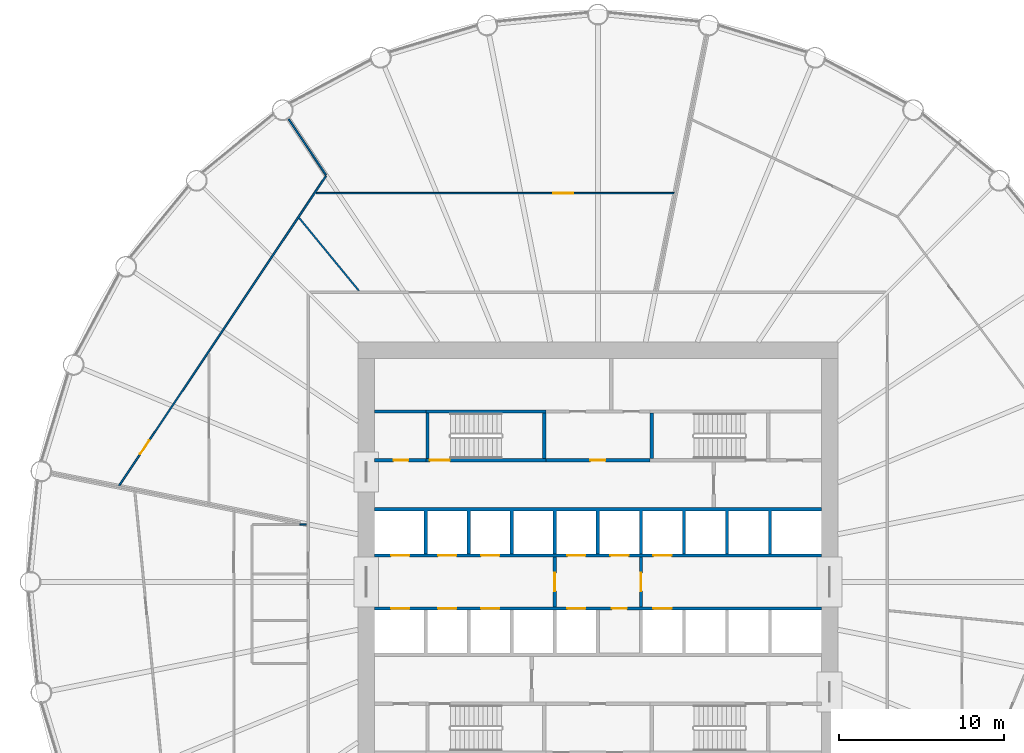
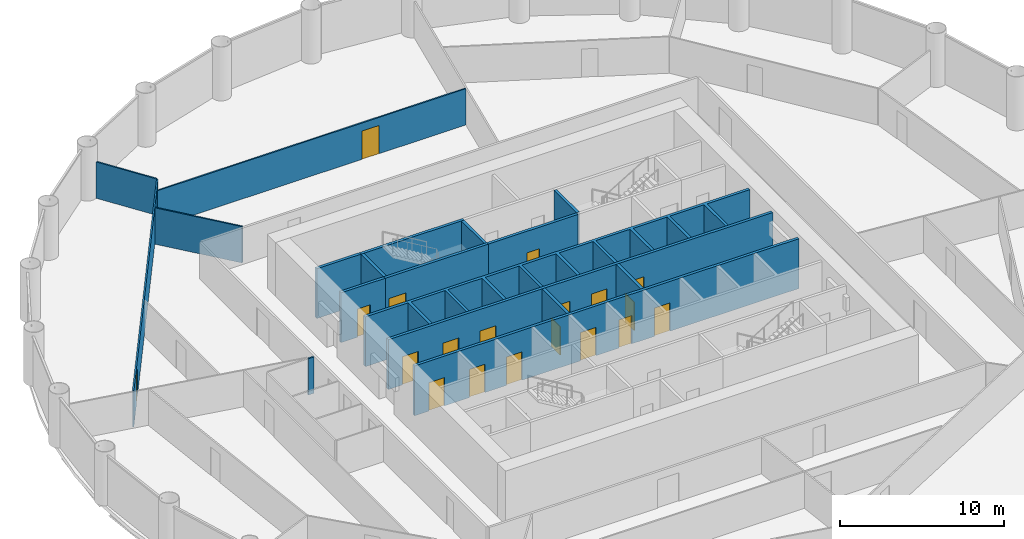
# One storey, part 6 of 9: 19 doors, 18 walls, 19 openings.
"""IFC4 building model written with IfcOpenShell, lengths in metres."""

import ifcopenshell
import ifcopenshell.guid

model = None  # the IFC model being written
_history = None  # IfcOwnerHistory: only IFC2X3 demands one
_inside = {}  # id of a spatial element -> (the spatial element, [elements in it])
_under = {}  # id of a project, library or spatial element -> (it, [spatial elements below it])
_declared = {}  # id of a project -> (the project, [libraries it declares])
_typed = {}  # id of a type object -> (the type object, [elements of that type])
_made_of = {}  # id of a material, layer set ... -> (it, [elements and type objects made of it])


def new_model(schema):
    """Start an empty IFC model of exactly this schema.

    Asked for "IFC4X3", IfcOpenShell would pick the latest addendum, in which some entities
    have other attributes; the version numbers below select the first issue.
    IFC2X3 requires an IfcOwnerHistory on every rooted entity: one is made here for all.
    """
    global model, _history
    if schema == "IFC4X3":
        model = ifcopenshell.file(schema_version=(4, 3, 0, 0))
    else:
        model = ifcopenshell.file(schema=schema)
    _inside.clear()
    _under.clear()
    _declared.clear()
    _typed.clear()
    _made_of.clear()
    _history = None
    if model.schema == "IFC2X3":
        org = make("IfcOrganization", Name="unknown")
        user = make(
            "IfcPersonAndOrganization",
            ThePerson=make("IfcPerson", FamilyName="unknown"),
            TheOrganization=org,
        )
        app = make(
            "IfcApplication",
            ApplicationDeveloper=org,
            Version="unknown",
            ApplicationFullName="unknown",
            ApplicationIdentifier="unknown",
        )
        _history = make(
            "IfcOwnerHistory",
            OwningUser=user,
            OwningApplication=app,
            ChangeAction="ADDED",
            CreationDate=0,
        )
    return model


def make(cls, **values):
    """One entity of the class cls with the attributes given. An attribute that is None is left unset."""
    return model.create_entity(
        cls, **{name: value for name, value in values.items() if value is not None}
    )


def rooted(cls, **values):
    """An entity with a GlobalId (a new one), such as an element, a storey or a relation."""
    return make(cls, GlobalId=ifcopenshell.guid.new(), OwnerHistory=_history, **values)


def si_unit(unit_type, name, prefix=None):
    """IfcSIUnit, for example si_unit("LENGTHUNIT", "METRE", prefix="MILLI")."""
    return make("IfcSIUnit", UnitType=unit_type, Prefix=prefix, Name=name)


def assignment(units):
    """IfcUnitAssignment: the units of a project."""
    return None if units is None else make("IfcUnitAssignment", Units=units)


def point(xyz):
    """IfcCartesianPoint."""
    return None if xyz is None else make("IfcCartesianPoint", Coordinates=xyz)


def direction(xyz):
    """IfcDirection."""
    return None if xyz is None else make("IfcDirection", DirectionRatios=xyz)


def frame(location, z_axis=None, x_axis=None):
    """IfcAxis2Placement3D, a coordinate frame: its origin and axes. An axis left out is left unset."""
    return make(
        "IfcAxis2Placement3D",
        Location=point(location),
        Axis=direction(z_axis),
        RefDirection=direction(x_axis),
    )


def frame_2d(location, x_axis=None):
    """IfcAxis2Placement2D, a coordinate frame in the plane: its origin and x axis."""
    return make(
        "IfcAxis2Placement2D", Location=point(location), RefDirection=direction(x_axis)
    )


def origin():
    """The frame at (0, 0, 0) with its axes left unset."""
    return frame((0.0, 0.0, 0.0))


def place(relative_to, where):
    """IfcLocalPlacement: puts the frame where relative to a parent placement (None: the world)."""
    return make(
        "IfcLocalPlacement", PlacementRelTo=relative_to, RelativePlacement=where
    )


def context(
    kind, dimensions, precision=None, world=None, true_north=None, identifier=None
):
    """IfcGeometricRepresentationContext, for example the 3D "Model" context."""
    return make(
        "IfcGeometricRepresentationContext",
        ContextIdentifier=identifier,
        ContextType=kind,
        CoordinateSpaceDimension=dimensions,
        Precision=precision,
        WorldCoordinateSystem=world,
        TrueNorth=true_north,
    )


def subcontext(parent, identifier, kind, view, scale=None):
    """IfcGeometricRepresentationSubContext, for example "Body" below "Model"."""
    return make(
        "IfcGeometricRepresentationSubContext",
        ContextIdentifier=identifier,
        ContextType=kind,
        ParentContext=parent,
        TargetScale=scale,
        TargetView=view,
    )


def project(units=None, contexts=None):
    """IfcProject with its units and contexts."""
    return rooted(
        "IfcProject",
        Name="project",
        RepresentationContexts=contexts,
        UnitsInContext=assignment(units),
    )


def spatial(cls, under=None, at=None, **own):
    """A site, building, storey or space (cls), placed at a placement, below another one or the project."""
    s = rooted(cls, ObjectPlacement=at, **own)
    if under is not None:
        _under.setdefault(under.id(), (under, []))[1].append(s)
    return s


def polyline(points):
    """IfcPolyline through the points."""
    return make("IfcPolyline", Points=[point(p) for p in points])


def profile(cls, at=None, kind="AREA", **sizes):
    """A parametric profile (cls). Its sizes go by their IFC names, for example OverallWidth=200.0."""
    return make(cls, ProfileType=kind, Position=at, **sizes)


def rectangle(**sizes):
    """IfcRectangleProfileDef."""
    return profile("IfcRectangleProfileDef", **sizes)


def outline(outer, holes=None, kind="AREA"):
    """IfcArbitraryClosedProfileDef: a profile drawn as a closed curve; with holes, ...WithVoids."""
    if holes is None:
        return make("IfcArbitraryClosedProfileDef", ProfileType=kind, OuterCurve=outer)
    return make(
        "IfcArbitraryProfileDefWithVoids",
        ProfileType=kind,
        OuterCurve=outer,
        InnerCurves=holes,
    )


def extrude(swept, where, along, depth):
    """IfcExtrudedAreaSolid: the profile swept, set in the frame where, extruded along a direction by depth."""
    return make(
        "IfcExtrudedAreaSolid",
        SweptArea=swept,
        Position=where,
        ExtrudedDirection=direction(along),
        Depth=depth,
    )


def shape(context_of_items, identifier, shape_type, items):
    """IfcShapeRepresentation: the items that make up one representation, for example the "Body"."""
    return make(
        "IfcShapeRepresentation",
        ContextOfItems=context_of_items,
        RepresentationIdentifier=identifier,
        RepresentationType=shape_type,
        Items=items,
    )


def material(Name=None, Category=None):
    """IfcMaterial."""
    return make("IfcMaterial", Name=Name, Category=Category)


def layer(
    of_material, thickness, ventilated=None, Name=None, Category=None, Priority=None
):
    """IfcMaterialLayer: one layer of a wall or slab, of a material (None: an air gap)."""
    return make(
        "IfcMaterialLayer",
        Material=of_material,
        LayerThickness=thickness,
        IsVentilated=ventilated,
        Name=Name,
        Category=Category,
        Priority=Priority,
    )


def layer_set(layers, Name=None):
    """IfcMaterialLayerSet."""
    return make("IfcMaterialLayerSet", MaterialLayers=layers, LayerSetName=Name)


def made_of(thing, what):
    """Note that an element or type object is made of a material, layer set ...; save() writes the relation."""
    if what is not None:
        _made_of.setdefault(what.id(), (what, []))[1].append(thing)
    return thing


def type_object(cls, material=None, **own):
    """A type object (cls), such as IfcWallType, which elements share."""
    return made_of(rooted(cls, **own), material)


def element(
    cls,
    number,
    at=None,
    inside=None,
    cuts=None,
    type_object=None,
    material=None,
    context=None,
    identifier="Body",
    shape_type=None,
    held_by="IfcProductDefinitionShape",
    body=None,
    shapes=None,
    **own,
):
    """One element of the class cls, such as IfcWall. Its Tag is "e" and its number.

    at: its placement. inside: the storey or other place that contains it. cuts: it is an
    opening in that element (IfcRelVoidsElement). A single representation is given by context,
    identifier, shape_type and body (its items); several are given by shapes. held_by: the class
    of the entity that holds the representations. save() writes the other relations.
    """
    e = rooted(cls, Tag="e%d" % number, ObjectPlacement=at, **own)
    if body is not None:
        shapes = [shape(context, identifier, shape_type, body)]
    if shapes is not None:
        e.Representation = make(held_by, Representations=shapes)
    if inside is not None:
        _inside.setdefault(inside.id(), (inside, []))[1].append(e)
    if cuts is not None:
        rooted(
            "IfcRelVoidsElement", RelatingBuildingElement=cuts, RelatedOpeningElement=e
        )
    if type_object is not None:
        _typed.setdefault(type_object.id(), (type_object, []))[1].append(e)
    return made_of(e, material)


def fill(opening, filler):
    """IfcRelFillsElement: the door or window that sits in an opening."""
    return rooted(
        "IfcRelFillsElement",
        RelatingOpeningElement=opening,
        RelatedBuildingElement=filler,
    )


def aggregate(whole, parts):
    """IfcRelAggregates: a whole, such as a stair, and the parts it consists of."""
    return rooted("IfcRelAggregates", RelatingObject=whole, RelatedObjects=parts)


def save(model, path):
    """Write the relations noted so far, then the file.

    IfcRelAggregates (storeys below a building ...), IfcRelContainedInSpatialStructure (elements
    in a storey), IfcRelDefinesByType, IfcRelAssociatesMaterial and IfcRelDeclares: one each for
    every whole, place, type object, material and project.
    """
    for whole, parts in _under.values():
        aggregate(whole, parts)
    for where, things in _inside.values():
        rooted(
            "IfcRelContainedInSpatialStructure",
            RelatedElements=things,
            RelatingStructure=where,
        )
    for kind, things in _typed.values():
        rooted("IfcRelDefinesByType", RelatedObjects=things, RelatingType=kind)
    for what, things in _made_of.values():
        rooted("IfcRelAssociatesMaterial", RelatedObjects=things, RelatingMaterial=what)
    for by, libraries in _declared.values():
        rooted("IfcRelDeclares", RelatingContext=by, RelatedDefinitions=libraries)
    model.write(path)


model = new_model("IFC4")

# Units and contexts
model_context = context("Model", 3, precision=1e-05, world=origin(), true_north=direction((0.0, 1.0)))
body_context = subcontext(model_context, "Body", "Model", "MODEL_VIEW")
ifc_project = project(units=[si_unit("LENGTHUNIT", "METRE"), si_unit("AREAUNIT", "SQUARE_METRE"), si_unit("VOLUMEUNIT", "CUBIC_METRE"), si_unit("PLANEANGLEUNIT", "RADIAN"), si_unit("MASSUNIT", "GRAM", prefix="KILO")], contexts=[model_context])

# Site, building, storey
site_placement = place(None, origin())
site = spatial("IfcSite", under=ifc_project, at=site_placement, CompositionType="ELEMENT")
building_placement = place(site_placement, origin())
building = spatial("IfcBuilding", under=site, at=building_placement, Name="Corvane Civic Tower", CompositionType="ELEMENT")
storey_placement = place(building_placement, frame((0.0, 0.0, 102.5)))
storey = spatial("IfcBuildingStorey", under=building, at=storey_placement, Name="L23", CompositionType="ELEMENT", Elevation=102.5)

# Wall, openings, doors
ifc_material_1 = material(Name="Concrete C30/37", Category="concrete")
ifc_layer_1 = layer(ifc_material_1, 0.199951171875)
ifc_layer_set_1 = layer_set([ifc_layer_1], Name="Concrete C30/37")
wall_type_1 = type_object("IfcWallType", Name="CR-WALL-200", PredefinedType="PARTITIONING", material=ifc_layer_set_1)
wall_1_placement = place(storey_placement, frame((-13.5, -1.60009765625, 0.0), z_axis=(0.0, 0.0, 1.0), x_axis=(1.0, 0.0, 0.0)))
wall_1 = element("IfcWall", 1, at=wall_1_placement, inside=storey, type_object=wall_type_1, Name="L23 lift shaft wall", PredefinedType="PARTITIONING", context=body_context, shape_type="SweptSolid", body=[
    extrude(rectangle(XDim=27.0, YDim=0.199951171875, at=frame_2d((13.5, 0.0))), origin(), (0.0, 0.0, 1.0), 3.699951171875),
])
opening_1_placement = place(wall_1_placement, frame((1.0, 0.0, 0.0)))
opening_1 = element("IfcOpeningElement", 2, at=opening_1_placement, cuts=wall_1, Name="Opening LD", PredefinedType="OPENING", context=body_context, shape_type="SweptSolid", body=[
    extrude(rectangle(XDim=1.10009765625, YDim=2.10009765625, at=frame_2d((0.550048828125, 1.050048828125))), frame((0.0, 0.10986328125, 0.0), z_axis=(0.0, -1.0, 0.0), x_axis=(1.0, 0.0, 0.0)), (0.0, 0.0, 1.0), 0.219970703125),
])
opening_2_placement = place(wall_1_placement, frame((3.85009765625, 0.0, 0.0)))
opening_2 = element("IfcOpeningElement", 3, at=opening_2_placement, cuts=wall_1, Name="Opening LD", PredefinedType="OPENING", context=body_context, shape_type="SweptSolid", body=[
    extrude(rectangle(XDim=1.10009765625, YDim=2.10009765625, at=frame_2d((0.550048828125, 1.050048828125))), frame((0.0, 0.10986328125, 0.0), z_axis=(0.0, -1.0, 0.0), x_axis=(1.0, 0.0, 0.0)), (0.0, 0.0, 1.0), 0.219970703125),
])
opening_3_placement = place(wall_1_placement, frame((6.449951171875, 0.0, 0.0)))
opening_3 = element("IfcOpeningElement", 4, at=opening_3_placement, cuts=wall_1, Name="Opening LD", PredefinedType="OPENING", context=body_context, shape_type="SweptSolid", body=[
    extrude(rectangle(XDim=1.10009765625, YDim=2.10009765625, at=frame_2d((0.550048828125, 1.050048828125))), frame((0.0, 0.10986328125, 0.0), z_axis=(0.0, -1.0, 0.0), x_axis=(1.0, 0.0, 0.0)), (0.0, 0.0, 1.0), 0.219970703125),
])
opening_4_placement = place(wall_1_placement, frame((11.64990234375, 0.0, 0.0)))
opening_4 = element("IfcOpeningElement", 5, at=opening_4_placement, cuts=wall_1, Name="Opening LD", PredefinedType="OPENING", context=body_context, shape_type="SweptSolid", body=[
    extrude(rectangle(XDim=1.10009765625, YDim=2.10009765625, at=frame_2d((0.550048828125, 1.050048828125))), frame((0.0, 0.10986328125, 0.0), z_axis=(0.0, -1.0, 0.0), x_axis=(1.0, 0.0, 0.0)), (0.0, 0.0, 1.0), 0.219970703125),
])
opening_5_placement = place(wall_1_placement, frame((14.35009765625, 0.0, 0.0)))
opening_5 = element("IfcOpeningElement", 6, at=opening_5_placement, cuts=wall_1, Name="Opening L23.C01", PredefinedType="OPENING", context=body_context, shape_type="SweptSolid", body=[
    extrude(rectangle(XDim=0.89990234375, YDim=2.10009765625, at=frame_2d((0.449951171875, 1.050048828125))), frame((0.0, 0.10986328125, 0.0), z_axis=(0.0, -1.0, 0.0), x_axis=(1.0, 0.0, 0.0)), (0.0, 0.0, 1.0), 0.219970703125),
])
opening_6_placement = place(wall_1_placement, frame((16.85009765625, 0.0, 0.0)))
opening_6 = element("IfcOpeningElement", 7, at=opening_6_placement, cuts=wall_1, Name="Opening LD", PredefinedType="OPENING", context=body_context, shape_type="SweptSolid", body=[
    extrude(rectangle(XDim=1.10009765625, YDim=2.10009765625, at=frame_2d((0.550048828125, 1.050048828125))), frame((0.0, 0.10986328125, 0.0), z_axis=(0.0, -1.0, 0.0), x_axis=(1.0, 0.0, 0.0)), (0.0, 0.0, 1.0), 0.219970703125),
])
ifc_material_2 = material(Name="Steel fire door leaf", Category="steel")
door_type_1 = type_object("IfcDoorType", Name="CR-DOOR-900", OperationType="SINGLE_SWING_LEFT", PredefinedType="DOOR", material=ifc_material_2)
door_1_placement = place(opening_5_placement, origin())
door_1 = element("IfcDoor", 8, at=door_1_placement, inside=storey, type_object=door_type_1, Name="L23 door", OperationType="SINGLE_SWING_LEFT", OverallHeight=2.10009765625, OverallWidth=0.89990234375, PredefinedType="DOOR", context=body_context, shape_type="SweptSolid", body=[
    extrude(rectangle(XDim=0.89990234375, YDim=2.10009765625, at=frame_2d((0.449951171875, 1.050048828125))), frame((0.0, 0.02490234375, 0.0), z_axis=(0.0, -1.0, 0.0), x_axis=(1.0, 0.0, 0.0)), (0.0, 0.0, 1.0), 0.050048828125),
])
fill(opening_5, door_1)
ifc_material_3 = material(Name="Stainless steel 316 door leaves", Category="steel")
door_type_2 = type_object("IfcDoorType", Name="LD", OperationType="DOUBLE_DOOR_SLIDING", PredefinedType="DOOR", material=ifc_material_3)
door_2_placement = place(opening_1_placement, origin())
door_2 = element("IfcDoor", 9, at=door_2_placement, inside=storey, type_object=door_type_2, Name="L23 landing door", OperationType="DOUBLE_DOOR_SLIDING", OverallHeight=2.10009765625, OverallWidth=1.10009765625, PredefinedType="DOOR", context=body_context, shape_type="SweptSolid", body=[
    extrude(rectangle(XDim=1.10009765625, YDim=2.10009765625, at=frame_2d((0.550048828125, 1.050048828125))), frame((0.0, 0.02490234375, 0.0), z_axis=(0.0, -1.0, 0.0), x_axis=(1.0, 0.0, 0.0)), (0.0, 0.0, 1.0), 0.050048828125),
])
fill(opening_1, door_2)
door_3_placement = place(opening_2_placement, origin())
door_3 = element("IfcDoor", 10, at=door_3_placement, inside=storey, type_object=door_type_2, Name="L23 landing door", OperationType="DOUBLE_DOOR_SLIDING", OverallHeight=2.10009765625, OverallWidth=1.10009765625, PredefinedType="DOOR", context=body_context, shape_type="SweptSolid", body=[
    extrude(rectangle(XDim=1.10009765625, YDim=2.10009765625, at=frame_2d((0.550048828125, 1.050048828125))), frame((0.0, 0.02490234375, 0.0), z_axis=(0.0, -1.0, 0.0), x_axis=(1.0, 0.0, 0.0)), (0.0, 0.0, 1.0), 0.050048828125),
])
fill(opening_2, door_3)
door_4_placement = place(opening_3_placement, origin())
door_4 = element("IfcDoor", 11, at=door_4_placement, inside=storey, type_object=door_type_2, Name="L23 landing door", OperationType="DOUBLE_DOOR_SLIDING", OverallHeight=2.10009765625, OverallWidth=1.10009765625, PredefinedType="DOOR", context=body_context, shape_type="SweptSolid", body=[
    extrude(rectangle(XDim=1.10009765625, YDim=2.10009765625, at=frame_2d((0.550048828125, 1.050048828125))), frame((0.0, 0.02490234375, 0.0), z_axis=(0.0, -1.0, 0.0), x_axis=(1.0, 0.0, 0.0)), (0.0, 0.0, 1.0), 0.050048828125),
])
fill(opening_3, door_4)
door_5_placement = place(opening_4_placement, origin())
door_5 = element("IfcDoor", 12, at=door_5_placement, inside=storey, type_object=door_type_2, Name="L23 landing door", OperationType="DOUBLE_DOOR_SLIDING", OverallHeight=2.10009765625, OverallWidth=1.10009765625, PredefinedType="DOOR", context=body_context, shape_type="SweptSolid", body=[
    extrude(rectangle(XDim=1.10009765625, YDim=2.10009765625, at=frame_2d((0.550048828125, 1.050048828125))), frame((0.0, 0.02490234375, 0.0), z_axis=(0.0, -1.0, 0.0), x_axis=(1.0, 0.0, 0.0)), (0.0, 0.0, 1.0), 0.050048828125),
])
fill(opening_4, door_5)
door_6_placement = place(opening_6_placement, origin())
door_6 = element("IfcDoor", 13, at=door_6_placement, inside=storey, type_object=door_type_2, Name="L23 landing door", OperationType="DOUBLE_DOOR_SLIDING", OverallHeight=2.10009765625, OverallWidth=1.10009765625, PredefinedType="DOOR", context=body_context, shape_type="SweptSolid", body=[
    extrude(rectangle(XDim=1.10009765625, YDim=2.10009765625, at=frame_2d((0.550048828125, 1.050048828125))), frame((0.0, 0.02490234375, 0.0), z_axis=(0.0, -1.0, 0.0), x_axis=(1.0, 0.0, 0.0)), (0.0, 0.0, 1.0), 0.050048828125),
])
fill(opening_6, door_6)

wall_2_placement = place(storey_placement, frame((-13.5, 1.60009765625, 0.0), z_axis=(0.0, 0.0, 1.0), x_axis=(1.0, 0.0, 0.0)))
wall_2 = element("IfcWall", 14, at=wall_2_placement, inside=storey, type_object=wall_type_1, Name="L23 lift shaft wall", PredefinedType="PARTITIONING", context=body_context, shape_type="SweptSolid", body=[
    extrude(rectangle(XDim=27.0, YDim=0.199951171875, at=frame_2d((13.5, 0.0))), origin(), (0.0, 0.0, 1.0), 3.699951171875),
])
opening_7_placement = place(wall_2_placement, frame((1.0, 0.0, 0.0)))
opening_7 = element("IfcOpeningElement", 15, at=opening_7_placement, cuts=wall_2, Name="Opening LD", PredefinedType="OPENING", context=body_context, shape_type="SweptSolid", body=[
    extrude(rectangle(XDim=1.10009765625, YDim=2.10009765625, at=frame_2d((0.550048828125, 1.050048828125))), frame((0.0, 0.10986328125, 0.0), z_axis=(0.0, -1.0, 0.0), x_axis=(1.0, 0.0, 0.0)), (0.0, 0.0, 1.0), 0.219970703125),
])
opening_8_placement = place(wall_2_placement, frame((3.85009765625, 0.0, 0.0)))
opening_8 = element("IfcOpeningElement", 16, at=opening_8_placement, cuts=wall_2, Name="Opening LD", PredefinedType="OPENING", context=body_context, shape_type="SweptSolid", body=[
    extrude(rectangle(XDim=1.10009765625, YDim=2.10009765625, at=frame_2d((0.550048828125, 1.050048828125))), frame((0.0, 0.10986328125, 0.0), z_axis=(0.0, -1.0, 0.0), x_axis=(1.0, 0.0, 0.0)), (0.0, 0.0, 1.0), 0.219970703125),
])
opening_9_placement = place(wall_2_placement, frame((6.449951171875, 0.0, 0.0)))
opening_9 = element("IfcOpeningElement", 17, at=opening_9_placement, cuts=wall_2, Name="Opening LD", PredefinedType="OPENING", context=body_context, shape_type="SweptSolid", body=[
    extrude(rectangle(XDim=1.10009765625, YDim=2.10009765625, at=frame_2d((0.550048828125, 1.050048828125))), frame((0.0, 0.10986328125, 0.0), z_axis=(0.0, -1.0, 0.0), x_axis=(1.0, 0.0, 0.0)), (0.0, 0.0, 1.0), 0.219970703125),
])
opening_10_placement = place(wall_2_placement, frame((11.64990234375, 0.0, 0.0)))
opening_10 = element("IfcOpeningElement", 18, at=opening_10_placement, cuts=wall_2, Name="Opening LD", PredefinedType="OPENING", context=body_context, shape_type="SweptSolid", body=[
    extrude(rectangle(XDim=1.10009765625, YDim=2.10009765625, at=frame_2d((0.550048828125, 1.050048828125))), frame((0.0, 0.10986328125, 0.0), z_axis=(0.0, -1.0, 0.0), x_axis=(1.0, 0.0, 0.0)), (0.0, 0.0, 1.0), 0.219970703125),
])
opening_11_placement = place(wall_2_placement, frame((14.25, 0.0, 0.0)))
opening_11 = element("IfcOpeningElement", 19, at=opening_11_placement, cuts=wall_2, Name="Opening LD", PredefinedType="OPENING", context=body_context, shape_type="SweptSolid", body=[
    extrude(rectangle(XDim=1.10009765625, YDim=2.10009765625, at=frame_2d((0.550048828125, 1.050048828125))), frame((0.0, 0.10986328125, 0.0), z_axis=(0.0, -1.0, 0.0), x_axis=(1.0, 0.0, 0.0)), (0.0, 0.0, 1.0), 0.219970703125),
])
opening_12_placement = place(wall_2_placement, frame((16.85009765625, 0.0, 0.0)))
opening_12 = element("IfcOpeningElement", 20, at=opening_12_placement, cuts=wall_2, Name="Opening LD", PredefinedType="OPENING", context=body_context, shape_type="SweptSolid", body=[
    extrude(rectangle(XDim=1.10009765625, YDim=2.10009765625, at=frame_2d((0.550048828125, 1.050048828125))), frame((0.0, 0.10986328125, 0.0), z_axis=(0.0, -1.0, 0.0), x_axis=(1.0, 0.0, 0.0)), (0.0, 0.0, 1.0), 0.219970703125),
])
door_7_placement = place(opening_7_placement, origin())
door_7 = element("IfcDoor", 21, at=door_7_placement, inside=storey, type_object=door_type_2, Name="L23 landing door", OperationType="DOUBLE_DOOR_SLIDING", OverallHeight=2.10009765625, OverallWidth=1.10009765625, PredefinedType="DOOR", context=body_context, shape_type="SweptSolid", body=[
    extrude(rectangle(XDim=1.10009765625, YDim=2.10009765625, at=frame_2d((0.550048828125, 1.050048828125))), frame((0.0, 0.02490234375, 0.0), z_axis=(0.0, -1.0, 0.0), x_axis=(1.0, 0.0, 0.0)), (0.0, 0.0, 1.0), 0.050048828125),
])
fill(opening_7, door_7)
door_8_placement = place(opening_8_placement, origin())
door_8 = element("IfcDoor", 22, at=door_8_placement, inside=storey, type_object=door_type_2, Name="L23 landing door", OperationType="DOUBLE_DOOR_SLIDING", OverallHeight=2.10009765625, OverallWidth=1.10009765625, PredefinedType="DOOR", context=body_context, shape_type="SweptSolid", body=[
    extrude(rectangle(XDim=1.10009765625, YDim=2.10009765625, at=frame_2d((0.550048828125, 1.050048828125))), frame((0.0, 0.02490234375, 0.0), z_axis=(0.0, -1.0, 0.0), x_axis=(1.0, 0.0, 0.0)), (0.0, 0.0, 1.0), 0.050048828125),
])
fill(opening_8, door_8)
door_9_placement = place(opening_9_placement, origin())
door_9 = element("IfcDoor", 23, at=door_9_placement, inside=storey, type_object=door_type_2, Name="L23 landing door", OperationType="DOUBLE_DOOR_SLIDING", OverallHeight=2.10009765625, OverallWidth=1.10009765625, PredefinedType="DOOR", context=body_context, shape_type="SweptSolid", body=[
    extrude(rectangle(XDim=1.10009765625, YDim=2.10009765625, at=frame_2d((0.550048828125, 1.050048828125))), frame((0.0, 0.02490234375, 0.0), z_axis=(0.0, -1.0, 0.0), x_axis=(1.0, 0.0, 0.0)), (0.0, 0.0, 1.0), 0.050048828125),
])
fill(opening_9, door_9)
door_10_placement = place(opening_10_placement, origin())
door_10 = element("IfcDoor", 24, at=door_10_placement, inside=storey, type_object=door_type_2, Name="L23 landing door", OperationType="DOUBLE_DOOR_SLIDING", OverallHeight=2.10009765625, OverallWidth=1.10009765625, PredefinedType="DOOR", context=body_context, shape_type="SweptSolid", body=[
    extrude(rectangle(XDim=1.10009765625, YDim=2.10009765625, at=frame_2d((0.550048828125, 1.050048828125))), frame((0.0, 0.02490234375, 0.0), z_axis=(0.0, -1.0, 0.0), x_axis=(1.0, 0.0, 0.0)), (0.0, 0.0, 1.0), 0.050048828125),
])
fill(opening_10, door_10)
door_11_placement = place(opening_11_placement, origin())
door_11 = element("IfcDoor", 25, at=door_11_placement, inside=storey, type_object=door_type_2, Name="L23 landing door", OperationType="DOUBLE_DOOR_SLIDING", OverallHeight=2.10009765625, OverallWidth=1.10009765625, PredefinedType="DOOR", context=body_context, shape_type="SweptSolid", body=[
    extrude(rectangle(XDim=1.10009765625, YDim=2.10009765625, at=frame_2d((0.550048828125, 1.050048828125))), frame((0.0, 0.02490234375, 0.0), z_axis=(0.0, -1.0, 0.0), x_axis=(1.0, 0.0, 0.0)), (0.0, 0.0, 1.0), 0.050048828125),
])
fill(opening_11, door_11)
door_12_placement = place(opening_12_placement, origin())
door_12 = element("IfcDoor", 26, at=door_12_placement, inside=storey, type_object=door_type_2, Name="L23 landing door", OperationType="DOUBLE_DOOR_SLIDING", OverallHeight=2.10009765625, OverallWidth=1.10009765625, PredefinedType="DOOR", context=body_context, shape_type="SweptSolid", body=[
    extrude(rectangle(XDim=1.10009765625, YDim=2.10009765625, at=frame_2d((0.550048828125, 1.050048828125))), frame((0.0, 0.02490234375, 0.0), z_axis=(0.0, -1.0, 0.0), x_axis=(1.0, 0.0, 0.0)), (0.0, 0.0, 1.0), 0.050048828125),
])
fill(opening_12, door_12)

# Wall, opening, door
wall_3_placement = place(storey_placement, frame((-13.5, 7.35009765625, 0.0), z_axis=(0.0, 0.0, 1.0), x_axis=(1.0, 0.0, 0.0)))
wall_3 = element("IfcWall", 27, at=wall_3_placement, inside=storey, type_object=wall_type_1, Name="L23 core partition wall", PredefinedType="PARTITIONING", context=body_context, shape_type="SweptSolid", body=[
    extrude(rectangle(XDim=3.10009765625, YDim=0.199951171875, at=frame_2d((1.550048828125, 0.0))), origin(), (0.0, 0.0, 1.0), 3.699951171875),
])
opening_13_placement = place(wall_3_placement, frame((1.14990234375, 0.0, 0.0)))
opening_13 = element("IfcOpeningElement", 28, at=opening_13_placement, cuts=wall_3, Name="Opening L23.C08", PredefinedType="OPENING", context=body_context, shape_type="SweptSolid", body=[
    extrude(rectangle(XDim=0.89990234375, YDim=2.10009765625, at=frame_2d((0.449951171875, 1.050048828125))), frame((0.0, 0.10986328125, 0.0), z_axis=(0.0, -1.0, 0.0), x_axis=(1.0, 0.0, 0.0)), (0.0, 0.0, 1.0), 0.219970703125),
])
door_13_placement = place(opening_13_placement, origin())
door_13 = element("IfcDoor", 29, at=door_13_placement, inside=storey, type_object=door_type_1, Name="L23 door", OperationType="SINGLE_SWING_LEFT", OverallHeight=2.10009765625, OverallWidth=0.89990234375, PredefinedType="DOOR", context=body_context, shape_type="SweptSolid", body=[
    extrude(rectangle(XDim=0.89990234375, YDim=2.10009765625, at=frame_2d((0.449951171875, 1.050048828125))), frame((0.0, 0.02490234375, 0.0), z_axis=(0.0, -1.0, 0.0), x_axis=(1.0, 0.0, 0.0)), (0.0, 0.0, 1.0), 0.050048828125),
])
fill(opening_13, door_13)

wall_4_placement = place(storey_placement, frame((-3.14990234375, 7.35009765625, 0.0), z_axis=(0.0, 0.0, 1.0), x_axis=(1.0, 0.0, 0.0)))
wall_4 = element("IfcWall", 30, at=wall_4_placement, inside=storey, type_object=wall_type_1, Name="L23 core partition wall", PredefinedType="PARTITIONING", context=body_context, shape_type="SweptSolid", body=[
    extrude(rectangle(XDim=6.2998046875, YDim=0.199951171875, at=frame_2d((3.14990234375, 0.0))), origin(), (0.0, 0.0, 1.0), 3.699951171875),
])
opening_14_placement = place(wall_4_placement, frame((2.699951171875, 0.0, 0.0)))
opening_14 = element("IfcOpeningElement", 31, at=opening_14_placement, cuts=wall_4, Name="Opening L23.C02", PredefinedType="OPENING", context=body_context, shape_type="SweptSolid", body=[
    extrude(rectangle(XDim=0.89990234375, YDim=2.10009765625, at=frame_2d((0.449951171875, 1.050048828125))), frame((0.0, 0.10986328125, 0.0), z_axis=(0.0, -1.0, 0.0), x_axis=(1.0, 0.0, 0.0)), (0.0, 0.0, 1.0), 0.219970703125),
])
door_14_placement = place(opening_14_placement, origin())
door_14 = element("IfcDoor", 32, at=door_14_placement, inside=storey, type_object=door_type_1, Name="L23 door", OperationType="SINGLE_SWING_LEFT", OverallHeight=2.10009765625, OverallWidth=0.89990234375, PredefinedType="DOOR", context=body_context, shape_type="SweptSolid", body=[
    extrude(rectangle(XDim=0.89990234375, YDim=2.10009765625, at=frame_2d((0.449951171875, 1.050048828125))), frame((0.0, 0.02490234375, 0.0), z_axis=(0.0, -1.0, 0.0), x_axis=(1.0, 0.0, 0.0)), (0.0, 0.0, 1.0), 0.050048828125),
])
fill(opening_14, door_14)

wall_5_placement = place(storey_placement, frame((-2.60009765625, -1.5, 0.0), z_axis=(0.0, 0.0, 1.0), x_axis=(0.0, 1.0, 0.0)))
wall_5 = element("IfcWall", 33, at=wall_5_placement, inside=storey, type_object=wall_type_1, Name="L23 firefighting lobby wall", PredefinedType="PARTITIONING", context=body_context, shape_type="SweptSolid", body=[
    extrude(rectangle(XDim=3.0, YDim=0.199951171875, at=frame_2d((1.5, 0.0))), origin(), (0.0, 0.0, 1.0), 3.699951171875),
])
opening_15_placement = place(wall_5_placement, frame((0.949951171875, 0.0, 0.0)))
opening_15 = element("IfcOpeningElement", 34, at=opening_15_placement, cuts=wall_5, Name="Opening L23.C16", PredefinedType="OPENING", context=body_context, shape_type="SweptSolid", body=[
    extrude(rectangle(XDim=1.10009765625, YDim=2.10009765625, at=frame_2d((0.550048828125, 1.050048828125))), frame((0.0, 0.10986328125, 0.0), z_axis=(0.0, -1.0, 0.0), x_axis=(1.0, 0.0, 0.0)), (0.0, 0.0, 1.0), 0.219970703125),
])
ifc_material_4 = material(Name="Steel fire door leaf", Category="steel")
door_type_3 = type_object("IfcDoorType", Name="CR-DOOR-FFL-1100", OperationType="SINGLE_SWING_LEFT", PredefinedType="DOOR", material=ifc_material_4)
door_15_placement = place(opening_15_placement, origin())
door_15 = element("IfcDoor", 35, at=door_15_placement, inside=storey, type_object=door_type_3, Name="L23 lobby door", OperationType="SINGLE_SWING_LEFT", OverallHeight=2.10009765625, OverallWidth=1.10009765625, PredefinedType="DOOR", context=body_context, shape_type="SweptSolid", body=[
    extrude(rectangle(XDim=1.10009765625, YDim=2.10009765625, at=frame_2d((0.550048828125, 1.050048828125))), frame((0.0, 0.02490234375, 0.0), z_axis=(0.0, -1.0, 0.0), x_axis=(1.0, 0.0, 0.0)), (0.0, 0.0, 1.0), 0.050048828125),
])
fill(opening_15, door_15)

wall_6_placement = place(storey_placement, frame((2.60009765625, -1.5, 0.0), z_axis=(0.0, 0.0, 1.0), x_axis=(0.0, 1.0, 0.0)))
wall_6 = element("IfcWall", 36, at=wall_6_placement, inside=storey, type_object=wall_type_1, Name="L23 firefighting lobby wall", PredefinedType="PARTITIONING", context=body_context, shape_type="SweptSolid", body=[
    extrude(rectangle(XDim=3.0, YDim=0.199951171875, at=frame_2d((1.5, 0.0))), origin(), (0.0, 0.0, 1.0), 3.699951171875),
])
opening_16_placement = place(wall_6_placement, frame((0.949951171875, 0.0, 0.0)))
opening_16 = element("IfcOpeningElement", 37, at=opening_16_placement, cuts=wall_6, Name="Opening L23.C17", PredefinedType="OPENING", context=body_context, shape_type="SweptSolid", body=[
    extrude(rectangle(XDim=1.10009765625, YDim=2.10009765625, at=frame_2d((0.550048828125, 1.050048828125))), frame((0.0, 0.10986328125, 0.0), z_axis=(0.0, -1.0, 0.0), x_axis=(1.0, 0.0, 0.0)), (0.0, 0.0, 1.0), 0.219970703125),
])
door_16_placement = place(opening_16_placement, origin())
door_16 = element("IfcDoor", 38, at=door_16_placement, inside=storey, type_object=door_type_3, Name="L23 lobby door", OperationType="SINGLE_SWING_LEFT", OverallHeight=2.10009765625, OverallWidth=1.10009765625, PredefinedType="DOOR", context=body_context, shape_type="SweptSolid", body=[
    extrude(rectangle(XDim=1.10009765625, YDim=2.10009765625, at=frame_2d((0.550048828125, 1.050048828125))), frame((0.0, 0.02490234375, 0.0), z_axis=(0.0, -1.0, 0.0), x_axis=(1.0, 0.0, 0.0)), (0.0, 0.0, 1.0), 0.050048828125),
])
fill(opening_16, door_16)

# Walls
wall_7_placement = place(storey_placement, origin())
element("IfcWall", 39, at=wall_7_placement, inside=storey, type_object=wall_type_1, Name="L23 core partition wall", PredefinedType="PARTITIONING", context=body_context, shape_type="SweptSolid", body=[
    extrude(outline(polyline([(-13.5, 10.199951171875), (-13.5, 10.39990234375), (-10.39990234375, 10.39990234375), (-10.39990234375, 10.199951171875), (-13.5, 10.199951171875)])), origin(), (0.0, 0.0, 1.0), 3.699951171875),
])
wall_8_placement = place(storey_placement, origin())
element("IfcWall", 40, at=wall_8_placement, inside=storey, type_object=wall_type_1, Name="L23 core partition wall", PredefinedType="PARTITIONING", context=body_context, shape_type="SweptSolid", body=[
    extrude(outline(polyline([(-5.10009765625, 4.300048828125), (-5.10009765625, 1.699951171875), (-5.300048828125, 1.699951171875), (-5.300048828125, 4.300048828125), (-7.699951171875, 4.300048828125), (-7.699951171875, 1.699951171875), (-7.89990234375, 1.699951171875), (-7.89990234375, 4.300048828125), (-10.300048828125, 4.300048828125), (-10.300048828125, 1.699951171875), (-10.5, 1.699951171875), (-10.5, 4.300048828125), (-13.5, 4.300048828125), (-13.5, 4.5), (13.5, 4.5), (13.5, 4.300048828125), (10.5, 4.300048828125), (10.5, 1.699951171875), (10.300048828125, 1.699951171875), (10.300048828125, 4.300048828125), (7.89990234375, 4.300048828125), (7.89990234375, 1.699951171875), (7.699951171875, 1.699951171875), (7.699951171875, 4.300048828125), (5.300048828125, 4.300048828125), (5.300048828125, 1.699951171875), (5.10009765625, 1.699951171875), (5.10009765625, 4.300048828125), (2.699951171875, 4.300048828125), (2.699951171875, 1.699951171875), (2.5, 1.699951171875), (2.5, 4.300048828125), (0.10009765625, 4.300048828125), (0.10009765625, 1.699951171875), (-0.10009765625, 1.699951171875), (-0.10009765625, 4.300048828125), (-2.5, 4.300048828125), (-2.5, 1.699951171875), (-2.699951171875, 1.699951171875), (-2.699951171875, 4.300048828125), (-5.10009765625, 4.300048828125)])), origin(), (0.0, 0.0, 1.0), 3.699951171875),
])

# Wall, opening, door
ifc_material_5 = material(Name="Plasterboard")
ifc_layer_2 = layer(ifc_material_5, 0.10009765625)
ifc_layer_set_2 = layer_set([ifc_layer_2], Name="Plasterboard")
wall_type_2 = type_object("IfcWallType", Name="Partition 100 plasterboard on studs", PredefinedType="PARTITIONING", material=ifc_layer_set_2)
wall_9_placement = place(storey_placement, frame((-28.934814453125, 5.825927734375, 0.0), z_axis=(0.0, 0.0, 1.0), x_axis=(0.555566129139, 0.831472354413, 0.0)))
wall_9 = element("IfcWall", 41, at=wall_9_placement, inside=storey, type_object=wall_type_2, Name="Partition L23.028", PredefinedType="PARTITIONING", context=body_context, shape_type="SweptSolid", body=[
    extrude(rectangle(XDim=22.50390625, YDim=0.10009765625, at=frame_2d((11.251953125, 0.0))), origin(), (0.0, 0.0, 1.0), 2.699951171875),
])
opening_17_placement = place(wall_9_placement, frame((2.28125, 0.0, 0.0)))
opening_17 = element("IfcOpeningElement", 42, at=opening_17_placement, cuts=wall_9, Name="Opening L23.021", PredefinedType="OPENING", context=body_context, shape_type="SweptSolid", body=[
    extrude(rectangle(XDim=1.0, YDim=2.10009765625, at=frame_2d((0.5, 1.050048828125))), frame((0.0, 0.06005859375, 0.0), z_axis=(0.0, -1.0, 0.0), x_axis=(1.0, 0.0, 0.0)), (0.0, 0.0, 1.0), 0.1201171875),
])
ifc_material_6 = material(Name="Timber", Category="wood")
door_type_4 = type_object("IfcDoorType", Name="Single door 1000", OperationType="NOTDEFINED", PredefinedType="DOOR", material=ifc_material_6)
door_17_placement = place(opening_17_placement, origin())
door_17 = element("IfcDoor", 43, at=door_17_placement, inside=storey, type_object=door_type_4, Name="Door L23.021", OperationType="SINGLE_SWING_LEFT", OverallHeight=2.10009765625, OverallWidth=1.0, PredefinedType="DOOR", context=body_context, shape_type="SweptSolid", body=[
    extrude(rectangle(XDim=1.0, YDim=2.10009765625, at=frame_2d((0.5, 1.050048828125))), frame((0.0, 0.02490234375, 0.0), z_axis=(0.0, -1.0, 0.0), x_axis=(1.0, 0.0, 0.0)), (0.0, 0.0, 1.0), 0.050048828125),
])
fill(opening_17, door_17)

# Wall
wall_10_placement = place(storey_placement, frame((-18.05224609375, 21.996826171875, 0.0), z_axis=(0.0, 0.0, 1.0), x_axis=(0.634381827, -0.773019855872, 0.0)))
element("IfcWall", 44, at=wall_10_placement, inside=storey, type_object=wall_type_2, Name="Partition L23.033", PredefinedType="PARTITIONING", context=body_context, shape_type="SweptSolid", body=[
    extrude(rectangle(XDim=5.67919921875, YDim=0.10009765625, at=frame_2d((2.839599609375, 0.0))), origin(), (0.0, 0.0, 1.0), 2.699951171875),
])

# Wall, opening, door
wall_11_placement = place(storey_placement, frame((-17.031982421875, 23.5, 0.0), z_axis=(0.0, 0.0, 1.0), x_axis=(1.0, 0.0, 0.0)))
wall_11 = element("IfcWall", 45, at=wall_11_placement, inside=storey, type_object=wall_type_2, Name="Partition L23.036", PredefinedType="PARTITIONING", context=body_context, shape_type="SweptSolid", body=[
    extrude(rectangle(XDim=21.6455078125, YDim=0.10009765625, at=frame_2d((10.82275390625, 0.0))), origin(), (0.0, 0.0, 1.0), 2.699951171875),
])
opening_18_placement = place(wall_11_placement, frame((14.346435546875, 0.0, 0.0)))
opening_18 = element("IfcOpeningElement", 46, at=opening_18_placement, cuts=wall_11, Name="Opening L23.023", PredefinedType="OPENING", context=body_context, shape_type="SweptSolid", body=[
    extrude(rectangle(XDim=1.199951171875, YDim=2.10009765625, at=frame_2d((0.60009765625, 1.050048828125))), frame((0.0, 0.06005859375, 0.0), z_axis=(0.0, -1.0, 0.0), x_axis=(1.0, 0.0, 0.0)), (0.0, 0.0, 1.0), 0.1201171875),
])
ifc_material_7 = material(Name="Timber", Category="wood")
door_type_5 = type_object("IfcDoorType", Name="Double door 1200", OperationType="NOTDEFINED", PredefinedType="DOOR", material=ifc_material_7)
door_18_placement = place(opening_18_placement, origin())
door_18 = element("IfcDoor", 47, at=door_18_placement, inside=storey, type_object=door_type_5, Name="Door L23.023", OperationType="DOUBLE_DOOR_SINGLE_SWING", OverallHeight=2.10009765625, OverallWidth=1.199951171875, PredefinedType="DOOR", context=body_context, shape_type="SweptSolid", body=[
    extrude(rectangle(XDim=1.199951171875, YDim=2.10009765625, at=frame_2d((0.60009765625, 1.050048828125))), frame((0.0, 0.02490234375, 0.0), z_axis=(0.0, -1.0, 0.0), x_axis=(1.0, 0.0, 0.0)), (0.0, 0.0, 1.0), 0.050048828125),
])
fill(opening_18, door_18)

# Walls
wall_12_placement = place(storey_placement, frame((-18.703369140625, 27.991455078125, 0.0), z_axis=(0.0, 0.0, 1.0), x_axis=(0.55560960038, -0.831443306525, 0.0)))
element("IfcWall", 48, at=wall_12_placement, inside=storey, type_object=wall_type_2, Name="Partition L23.037", PredefinedType="PARTITIONING", context=body_context, shape_type="SweptSolid", body=[
    extrude(rectangle(XDim=4.08740234375, YDim=0.10009765625, at=frame_2d((2.043701171875, 0.0))), origin(), (0.0, 0.0, 1.0), 2.699951171875),
])
wall_13_placement = place(storey_placement, frame((-18.0078125, 3.48193359375, 0.0), z_axis=(0.0, 0.0, 1.0), x_axis=(1.0, 0.0, 0.0)))
element("IfcWall", 49, at=wall_13_placement, inside=storey, type_object=wall_type_2, Name="Partition L23.039", PredefinedType="PARTITIONING", context=body_context, shape_type="SweptSolid", body=[
    extrude(rectangle(XDim=0.392822265625, YDim=0.10009765625, at=frame_2d((0.1962890625, 0.0))), origin(), (0.0, 0.0, 1.0), 2.699951171875),
])

# Wall, opening, door
ifc_material_8 = material(Name="Concrete C50/60", Category="concrete")
ifc_layer_3 = layer(ifc_material_8, 0.199951171875)
ifc_layer_set_3 = layer_set([ifc_layer_3], Name="Concrete C50/60")
wall_type_3 = type_object("IfcWallType", Name="ST-WALL-200", PredefinedType="SHEAR", material=ifc_layer_set_3)
wall_14_placement = place(storey_placement, frame((-10.39990234375, 7.35009765625, 0.0), z_axis=(0.0, 0.0, 1.0), x_axis=(1.0, 0.0, 0.0)))
wall_14 = element("IfcWall", 50, at=wall_14_placement, inside=storey, type_object=wall_type_3, Name="L23 stair enclosure wall", PredefinedType="SHEAR", context=body_context, shape_type="SweptSolid", body=[
    extrude(rectangle(XDim=7.25, YDim=0.199951171875, at=frame_2d((3.625, 0.0))), origin(), (0.0, 0.0, 1.0), 3.699951171875),
])
opening_19_placement = place(wall_14_placement, frame((0.25, 0.0, 0.0)))
opening_19 = element("IfcOpeningElement", 51, at=opening_19_placement, cuts=wall_14, Name="Opening L23.C13", PredefinedType="OPENING", context=body_context, shape_type="SweptSolid", body=[
    extrude(rectangle(XDim=1.199951171875, YDim=2.10009765625, at=frame_2d((0.60009765625, 1.050048828125))), frame((0.0, 0.10986328125, 0.0), z_axis=(0.0, -1.0, 0.0), x_axis=(1.0, 0.0, 0.0)), (0.0, 0.0, 1.0), 0.219970703125),
])
ifc_material_9 = material(Name="Steel fire door leaf", Category="steel")
door_type_6 = type_object("IfcDoorType", Name="ST-DOOR-1200", OperationType="SINGLE_SWING_RIGHT", PredefinedType="DOOR", material=ifc_material_9)
door_19_placement = place(opening_19_placement, origin())
door_19 = element("IfcDoor", 52, at=door_19_placement, inside=storey, type_object=door_type_6, Name="L23 stair door", OperationType="SINGLE_SWING_RIGHT", OverallHeight=2.10009765625, OverallWidth=1.199951171875, PredefinedType="DOOR", context=body_context, shape_type="SweptSolid", body=[
    extrude(rectangle(XDim=1.199951171875, YDim=2.10009765625, at=frame_2d((0.60009765625, 1.050048828125))), frame((0.0, 0.02490234375, 0.0), z_axis=(0.0, -1.0, 0.0), x_axis=(1.0, 0.0, 0.0)), (0.0, 0.0, 1.0), 0.050048828125),
])
fill(opening_19, door_19)

# Walls
wall_15_placement = place(storey_placement, origin())
element("IfcWall", 53, at=wall_15_placement, inside=storey, type_object=wall_type_3, Name="L23 stair enclosure wall", PredefinedType="SHEAR", context=body_context, shape_type="SweptSolid", body=[
    extrude(outline(polyline([(-3.14990234375, 10.199951171875), (-10.39990234375, 10.199951171875), (-10.39990234375, 10.39990234375), (-3.14990234375, 10.39990234375), (-3.14990234375, 10.199951171875)])), origin(), (0.0, 0.0, 1.0), 3.699951171875),
])
wall_16_placement = place(storey_placement, origin())
element("IfcWall", 54, at=wall_16_placement, inside=storey, type_object=wall_type_3, Name="L23 stair enclosure wall", PredefinedType="SHEAR", context=body_context, shape_type="SweptSolid", body=[
    extrude(outline(polyline([(-3.14990234375, 7.449951171875), (-3.35009765625, 7.449951171875), (-3.35009765625, 10.199951171875), (-3.14990234375, 10.199951171875), (-3.14990234375, 7.449951171875)])), origin(), (0.0, 0.0, 1.0), 3.699951171875),
])
wall_17_placement = place(storey_placement, origin())
element("IfcWall", 55, at=wall_17_placement, inside=storey, type_object=wall_type_3, Name="L23 stair enclosure wall", PredefinedType="SHEAR", context=body_context, shape_type="SweptSolid", body=[
    extrude(outline(polyline([(3.35009765625, 7.449951171875), (3.14990234375, 7.449951171875), (3.14990234375, 10.199951171875), (3.35009765625, 10.199951171875), (3.35009765625, 7.449951171875)])), origin(), (0.0, 0.0, 1.0), 3.699951171875),
])
wall_18_placement = place(storey_placement, origin())
element("IfcWall", 56, at=wall_18_placement, inside=storey, type_object=wall_type_3, Name="L23 stair enclosure wall", PredefinedType="SHEAR", context=body_context, shape_type="SweptSolid", body=[
    extrude(outline(polyline([(-10.199951171875, 7.449951171875), (-10.39990234375, 7.449951171875), (-10.39990234375, 10.199951171875), (-10.199951171875, 10.199951171875), (-10.199951171875, 7.449951171875)])), origin(), (0.0, 0.0, 1.0), 3.699951171875),
])

save(model, "model.ifc")
